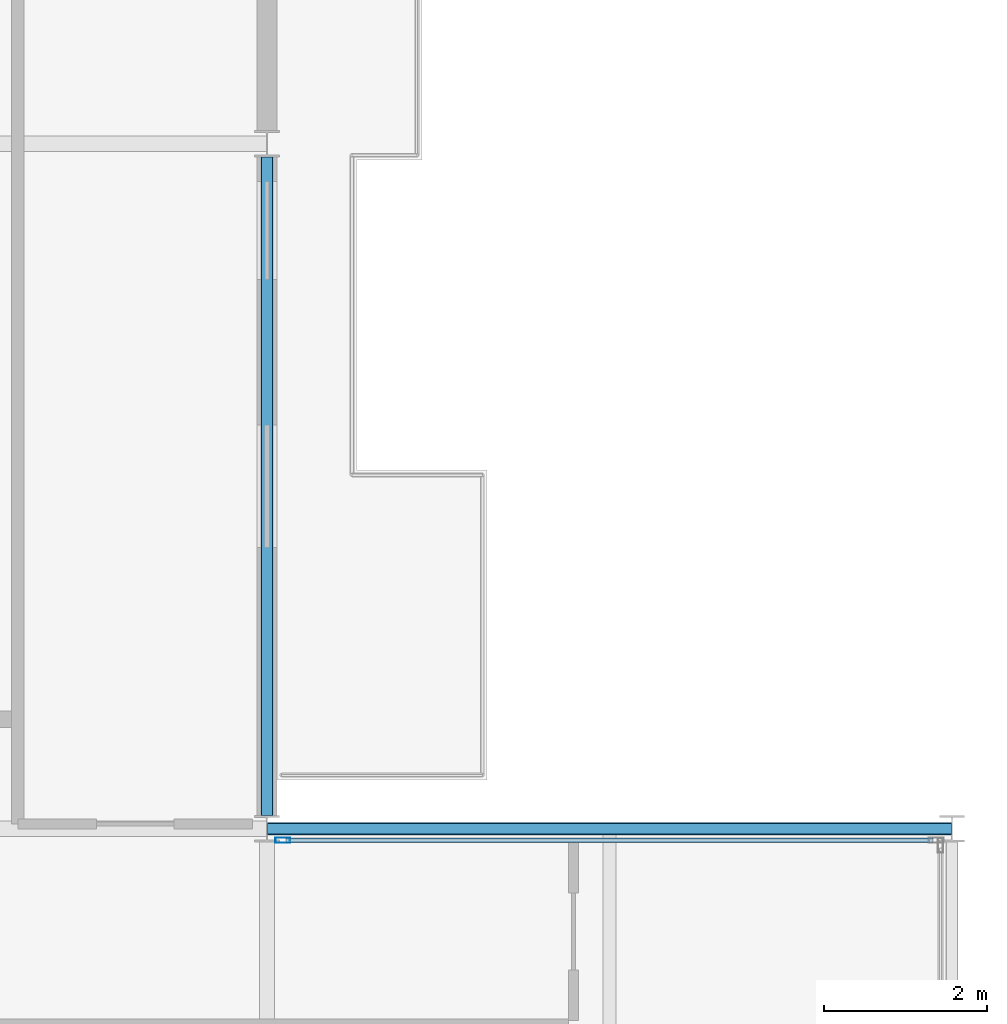
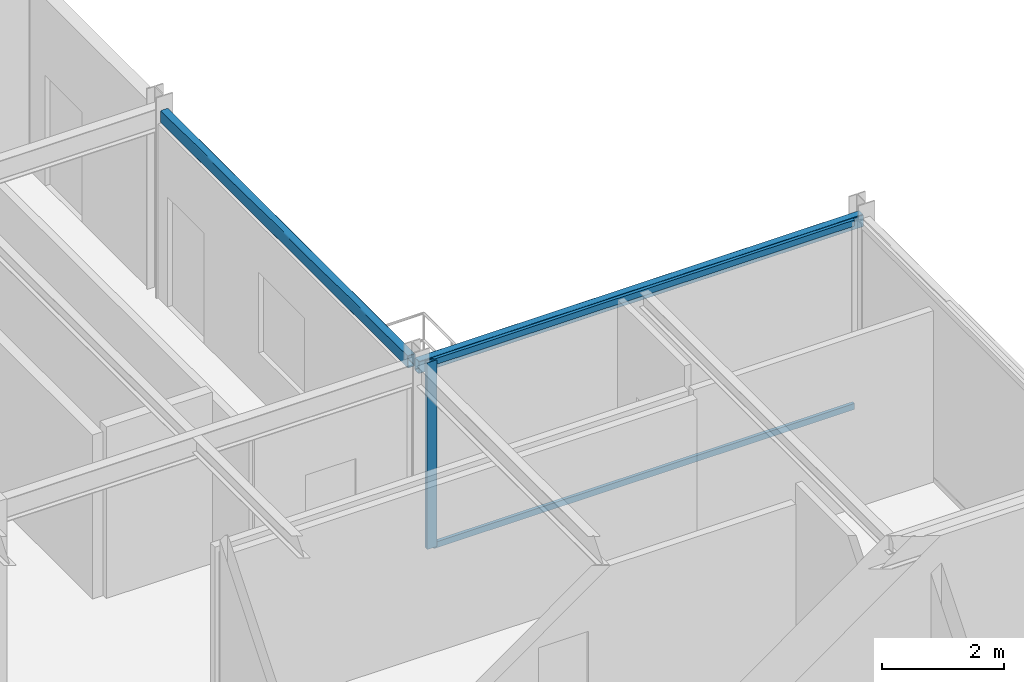
# One storey, part 13 of 24: 3 members, 2 beams, 1 element without a shape of its own.
"""IFC4 building model written with IfcOpenShell, lengths in metres."""

from ifc_helpers import new_model, si_unit, direction, frame, origin, origin_2d, place, context, subcontext, project, spatial, hollow_rectangle, extrude, material, layer, layer_set, material_profile, profile_set, type_object, element, aggregate, save


model = new_model("IFC4")

# Units and contexts
model_context = context("Model", 3, precision=1e-05, world=origin(), true_north=direction((0.0, 1.0)))
body_context = subcontext(model_context, "Body", "Model", "MODEL_VIEW")
ifc_project = project(units=[si_unit("LENGTHUNIT", "METRE"), si_unit("AREAUNIT", "SQUARE_METRE"), si_unit("VOLUMEUNIT", "CUBIC_METRE"), si_unit("PLANEANGLEUNIT", "RADIAN"), si_unit("MASSUNIT", "GRAM", prefix="KILO")], contexts=[model_context])

# Site, building, storey
site_placement = place(None, origin())
site = spatial("IfcSite", under=ifc_project, at=site_placement, CompositionType="ELEMENT")
building_placement = place(site_placement, origin())
building = spatial("IfcBuilding", under=site, at=building_placement, Name="Nerrivon Quay Data Exchange", CompositionType="ELEMENT")
storey_placement = place(building_placement, frame((0.0, 0.0, 298.199951171875)))
storey = spatial("IfcBuildingStorey", under=building, at=storey_placement, Name="L71", CompositionType="ELEMENT", Elevation=298.199951171875)

# Beams
ifc_material_1 = material(Name="Steel Grade C350L0 (350 MPa)", Category="steel")
ifc_material_profile_1 = material_profile(ifc_material_1, hollow_rectangle(XDim=0.14990234375, YDim=0.25, WallThickness=0.009033203125, InnerFilletRadius=0.013427734375, OuterFilletRadius=0.0224609375, at=origin_2d()), Name="250x150x9.0RHS")
ifc_profile_set_1 = profile_set([ifc_material_profile_1], Name="Steel Grade C350L0 (350 MPa)")
beam_type = type_object("IfcBeamType", Name="BM-SP4-250x150RHS", PredefinedType="SPANDREL", material=ifc_profile_set_1)
beam_1_placement = place(storey_placement, frame((25.2080078125, 25.199951171875, 3.60009765625), z_axis=(1.0, 0.0, 0.0), x_axis=(0.0, 1.0, 0.0)))
element("IfcBeam", 1, at=beam_1_placement, inside=storey, type_object=beam_type, Name="L71 EW Girder Y=25.2 (25.2..33.6)", PredefinedType="SPANDREL", context=body_context, shape_type="SweptSolid", body=[
    extrude(hollow_rectangle(XDim=0.14990234375, YDim=0.25, WallThickness=0.009033203125, InnerFilletRadius=0.013427734375, OuterFilletRadius=0.0224609375, at=origin_2d()), origin(), (0.0, 0.0, 1.0), 8.38427734375),
])
beam_2_placement = place(storey_placement, frame((25.199951171875, 25.363525390625, 3.60009765625), z_axis=(0.0, 1.0, 0.0), x_axis=(-1.0, 0.0, 0.0)))
element("IfcBeam", 2, at=beam_2_placement, inside=storey, type_object=beam_type, Name="L71 NS Girder X=25.2 (25.2..33.6)", PredefinedType="SPANDREL", context=body_context, shape_type="SweptSolid", body=[
    extrude(hollow_rectangle(XDim=0.14990234375, YDim=0.25, WallThickness=0.009033203125, InnerFilletRadius=0.013427734375, OuterFilletRadius=0.0224609375, at=origin_2d()), origin(), (0.0, 0.0, 1.0), 8.072998046875),
])

# Curtain wall, members
ifc_material_2 = material(Name="Anodised aluminium 6063-T6", Category="aluminium")
ifc_layer = layer(ifc_material_2, 0.195068359375)
ifc_layer_set = layer_set([ifc_layer], Name="Anodised aluminium 6063-T6")
curtain_wall_type = type_object("IfcCurtainWallType", Name="CW-SYS-06", PredefinedType="NOTDEFINED", material=ifc_layer_set)
curtain_wall_placement = place(storey_placement, origin())
curtain_wall = element("IfcCurtainWall", 3, at=curtain_wall_placement, inside=storey, type_object=curtain_wall_type, Name="L71 Unitised Curtain Wall 21", PredefinedType="NOTDEFINED")
ifc_material_profile_2 = material_profile(ifc_material_2, hollow_rectangle(XDim=0.06494140625, YDim=0.179931640625, WallThickness=0.00341796875, at=origin_2d()), Name="ALU-MULL-180x65")
ifc_profile_set_2 = profile_set([ifc_material_profile_2], Name="Anodised aluminium 6063-T6")
member_type_1 = type_object("IfcMemberType", Name="CWM-180x65", PredefinedType="MULLION", material=ifc_profile_set_2)
member_1_placement = place(storey_placement, frame((25.39306640625, 25.06005859375, 0.0), z_axis=(0.0, 0.0, 1.0), x_axis=(0.0, 1.0, 0.0)))
member_1 = element("IfcMember", 4, at=member_1_placement, type_object=member_type_1, Name="CW06 mullion 1", PredefinedType="MULLION", context=body_context, shape_type="SweptSolid", body=[
    extrude(hollow_rectangle(XDim=0.06494140625, YDim=0.179931640625, WallThickness=0.00341796875, at=origin_2d()), origin(), (0.0, 0.0, 1.0), 3.72509765625),
])
ifc_material_profile_3 = material_profile(ifc_material_2, hollow_rectangle(XDim=0.06005859375, YDim=0.1201171875, WallThickness=0.003173828125, at=origin_2d()), Name="ALU-TRAN-120x60")
ifc_profile_set_3 = profile_set([ifc_material_profile_3], Name="Anodised aluminium 6063-T6")
member_type_2 = type_object("IfcMemberType", Name="CWT-120x60", PredefinedType="USERDEFINED", material=ifc_profile_set_3)
member_2_placement = place(storey_placement, frame((25.430419921875, 25.06005859375, 0.032470703125), z_axis=(1.0, 0.0, 0.0), x_axis=(0.0, 1.0, 0.0)))
member_2 = element("IfcMember", 5, at=member_2_placement, type_object=member_type_2, Name="CW06 transom 1.1", ObjectType="TRANSOM", PredefinedType="USERDEFINED", context=body_context, shape_type="SweptSolid", body=[
    extrude(hollow_rectangle(XDim=0.06005859375, YDim=0.1201171875, WallThickness=0.003173828125, at=origin_2d()), origin(), (0.0, 0.0, 1.0), 7.93896484375),
])
member_3_placement = place(storey_placement, frame((25.430419921875, 25.06005859375, 3.692626953125), z_axis=(1.0, 0.0, 0.0), x_axis=(0.0, 1.0, 0.0)))
member_3 = element("IfcMember", 6, at=member_3_placement, type_object=member_type_2, Name="CW06 transom 1.2", ObjectType="TRANSOM", PredefinedType="USERDEFINED", context=body_context, shape_type="SweptSolid", body=[
    extrude(hollow_rectangle(XDim=0.06005859375, YDim=0.1201171875, WallThickness=0.003173828125, at=origin_2d()), origin(), (0.0, 0.0, 1.0), 7.93896484375),
])
aggregate(curtain_wall, [member_1, member_2, member_3])

save(model, "model.ifc")
